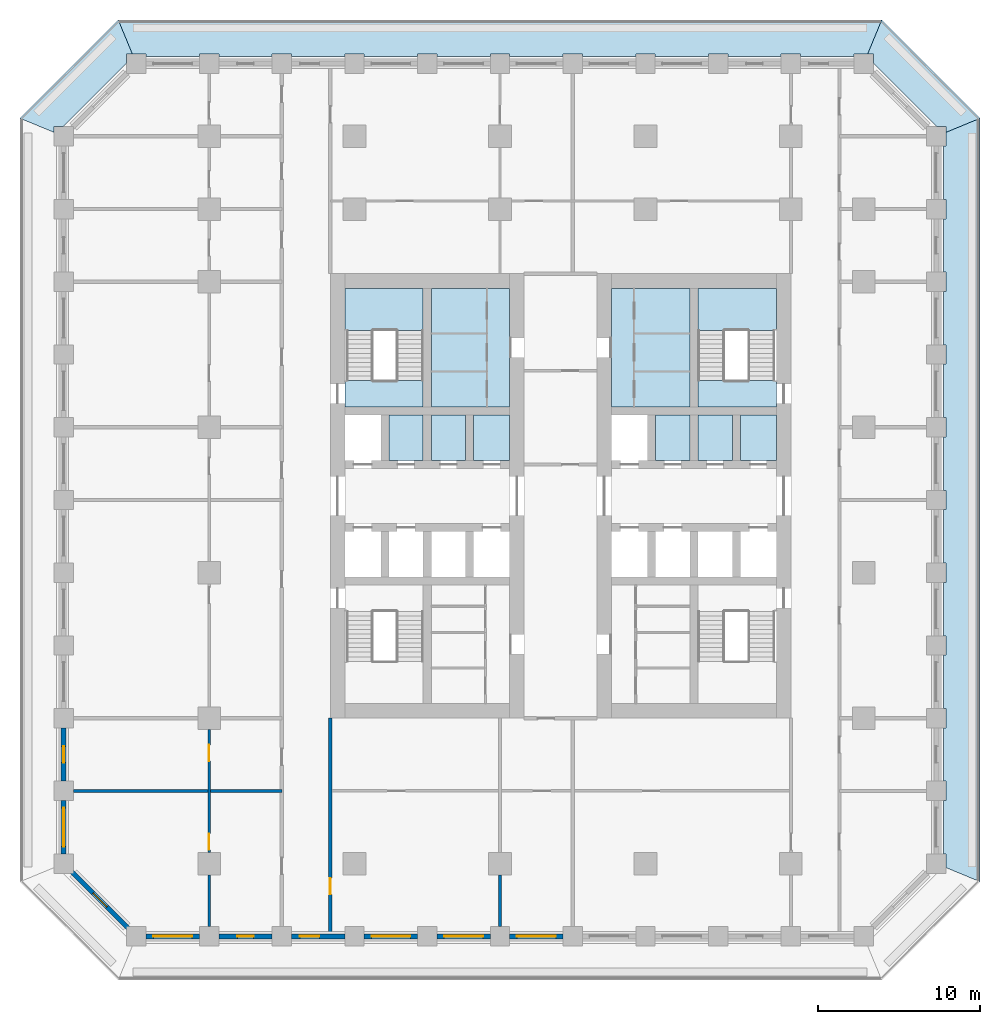
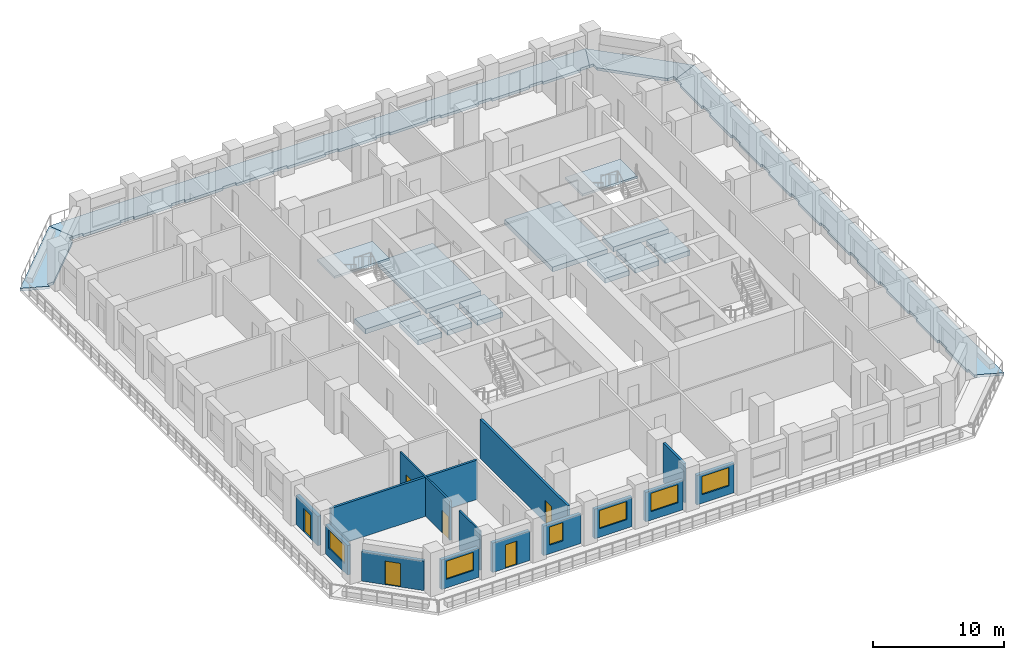
# One storey, part 2 of 17: 16 slabs, 14 walls, 6 doors, 6 windows, 12 openings, 2 elements without a shape of their own.
"""IFC4 building model written with IfcOpenShell, lengths in metres."""

from ifc_helpers import new_model, si_unit, direction, frame, frame_2d, origin, place, context, subcontext, project, spatial, polyline, rectangle, outline, extrude, material, layer, layer_set, type_object, element, fill, aggregate, save


model = new_model("IFC4")

# Units and contexts
model_context = context("Model", 3, precision=1e-05, world=origin(), true_north=direction((0.0, 1.0)))
body_context = subcontext(model_context, "Body", "Model", "MODEL_VIEW")
ifc_project = project(units=[si_unit("LENGTHUNIT", "METRE"), si_unit("AREAUNIT", "SQUARE_METRE"), si_unit("VOLUMEUNIT", "CUBIC_METRE"), si_unit("PLANEANGLEUNIT", "RADIAN"), si_unit("MASSUNIT", "GRAM", prefix="KILO")], contexts=[model_context])

# Site, building, storey
site_placement = place(None, origin())
site = spatial("IfcSite", under=ifc_project, at=site_placement, CompositionType="ELEMENT")
building_placement = place(site_placement, origin())
building = spatial("IfcBuilding", under=site, at=building_placement, Name="Corbel Stack Research Tower", CompositionType="ELEMENT")
storey_placement = place(building_placement, frame((0.0, 0.0, 129.0)))
storey = spatial("IfcBuildingStorey", under=building, at=storey_placement, Name="L29", CompositionType="ELEMENT", Elevation=129.0)

# Slabs
ifc_material_1 = material(Name="Concrete C45/55", Category="concrete")
ifc_layer_1 = layer(ifc_material_1, 0.25)
ifc_layer_set_1 = layer_set([ifc_layer_1], Name="Concrete C45/55")
slab_type_1 = type_object("IfcSlabType", Name="PT balcony slab 250 C45/55", PredefinedType="FLOOR", material=ifc_layer_set_1)
slab_1_placement = place(storey_placement, frame((0.0, 0.0, -0.25)))
element("IfcSlab", 1, at=slab_1_placement, inside=storey, type_object=slab_type_1, Name="Loggia slab L29 E", PredefinedType="FLOOR", context=body_context, shape_type="SweptSolid", body=[
    extrude(outline(polyline([(27.60009765625, 27.24853515625), (27.60009765625, 26.39990234375), (27.449951171875, 26.39990234375), (27.449951171875, 23.10009765625), (27.60009765625, 23.10009765625), (27.60009765625, 21.89990234375), (27.449951171875, 21.89990234375), (27.449951171875, 18.60009765625), (27.60009765625, 18.60009765625), (27.60009765625, 17.39990234375), (27.449951171875, 17.39990234375), (27.449951171875, 14.10009765625), (27.60009765625, 14.10009765625), (27.60009765625, 12.89990234375), (27.449951171875, 12.89990234375), (27.449951171875, 9.60009765625), (27.60009765625, 9.60009765625), (27.60009765625, 8.39990234375), (27.449951171875, 8.39990234375), (27.449951171875, 5.10009765625), (27.60009765625, 5.10009765625), (27.60009765625, 3.89990234375), (27.449951171875, 3.89990234375), (27.449951171875, 0.60009765625), (27.60009765625, 0.60009765625), (27.60009765625, -0.60009765625), (27.449951171875, -0.60009765625), (27.449951171875, -3.89990234375), (27.60009765625, -3.89990234375), (27.60009765625, -5.10009765625), (27.449951171875, -5.10009765625), (27.449951171875, -8.39990234375), (27.60009765625, -8.39990234375), (27.60009765625, -9.60009765625), (27.449951171875, -9.60009765625), (27.449951171875, -12.89990234375), (27.60009765625, -12.89990234375), (27.60009765625, -14.10009765625), (27.449951171875, -14.10009765625), (27.449951171875, -17.39990234375), (27.60009765625, -17.39990234375), (27.60009765625, -18.24853515625), (29.699951171875, -19.118408203125), (29.699951171875, 28.118408203125), (27.60009765625, 27.24853515625)])), origin(), (0.0, 0.0, 1.0), 0.25),
])
slab_2_placement = place(storey_placement, frame((0.0, 0.0, -0.25)))
element("IfcSlab", 2, at=slab_2_placement, inside=storey, type_object=slab_type_1, Name="Loggia slab L29 NE", PredefinedType="FLOOR", context=body_context, shape_type="SweptSolid", body=[
    extrude(outline(polyline([(22.74853515625, 32.10009765625), (23.10009765625, 32.10009765625), (23.10009765625, 31.536376953125), (27.036376953125, 27.60009765625), (27.60009765625, 27.60009765625), (27.60009765625, 27.24853515625), (29.699951171875, 28.118408203125), (23.618408203125, 34.199951171875), (22.74853515625, 32.10009765625)])), origin(), (0.0, 0.0, 1.0), 0.25),
])
slab_3_placement = place(storey_placement, frame((0.0, 0.0, -0.25)))
element("IfcSlab", 3, at=slab_3_placement, inside=storey, type_object=slab_type_1, Name="Loggia slab L29 N", PredefinedType="FLOOR", context=body_context, shape_type="SweptSolid", body=[
    extrude(outline(polyline([(-22.74853515625, 32.10009765625), (-21.89990234375, 32.10009765625), (-21.89990234375, 31.949951171875), (-18.60009765625, 31.949951171875), (-18.60009765625, 32.10009765625), (-17.39990234375, 32.10009765625), (-17.39990234375, 31.949951171875), (-14.10009765625, 31.949951171875), (-14.10009765625, 32.10009765625), (-12.89990234375, 32.10009765625), (-12.89990234375, 31.949951171875), (-9.60009765625, 31.949951171875), (-9.60009765625, 32.10009765625), (-8.39990234375, 32.10009765625), (-8.39990234375, 31.949951171875), (-5.10009765625, 31.949951171875), (-5.10009765625, 32.10009765625), (-3.89990234375, 32.10009765625), (-3.89990234375, 31.949951171875), (-0.60009765625, 31.949951171875), (-0.60009765625, 32.10009765625), (0.60009765625, 32.10009765625), (0.60009765625, 31.949951171875), (3.89990234375, 31.949951171875), (3.89990234375, 32.10009765625), (5.10009765625, 32.10009765625), (5.10009765625, 31.949951171875), (8.39990234375, 31.949951171875), (8.39990234375, 32.10009765625), (9.60009765625, 32.10009765625), (9.60009765625, 31.949951171875), (12.89990234375, 31.949951171875), (12.89990234375, 32.10009765625), (14.10009765625, 32.10009765625), (14.10009765625, 31.949951171875), (17.39990234375, 31.949951171875), (17.39990234375, 32.10009765625), (18.60009765625, 32.10009765625), (18.60009765625, 31.949951171875), (21.89990234375, 31.949951171875), (21.89990234375, 32.10009765625), (22.74853515625, 32.10009765625), (23.618408203125, 34.199951171875), (-23.618408203125, 34.199951171875), (-22.74853515625, 32.10009765625)])), origin(), (0.0, 0.0, 1.0), 0.25),
])
slab_4_placement = place(storey_placement, frame((0.0, 0.0, -0.25)))
element("IfcSlab", 4, at=slab_4_placement, inside=storey, type_object=slab_type_1, Name="Loggia slab L29 NW", PredefinedType="FLOOR", context=body_context, shape_type="SweptSolid", body=[
    extrude(outline(polyline([(-27.60009765625, 27.24853515625), (-27.60009765625, 27.60009765625), (-27.036376953125, 27.60009765625), (-23.10009765625, 31.536376953125), (-23.10009765625, 32.10009765625), (-22.74853515625, 32.10009765625), (-23.618408203125, 34.199951171875), (-29.699951171875, 28.118408203125), (-27.60009765625, 27.24853515625)])), origin(), (0.0, 0.0, 1.0), 0.25),
])
ifc_material_2 = material(Name="Concrete C45/55", Category="concrete")
ifc_layer_2 = layer(ifc_material_2, 0.449951171875)
ifc_layer_set_2 = layer_set([ifc_layer_2], Name="Concrete C45/55")
slab_type_2 = type_object("IfcSlabType", Name="PT-450", PredefinedType="FLOOR", material=ifc_layer_set_2)
slab_5_placement = place(storey_placement, frame((0.0, 0.0, -0.449951171875)))
element("IfcSlab", 5, at=slab_5_placement, inside=storey, type_object=slab_type_2, Name="West core floor L29", PredefinedType="FLOOR", context=body_context, shape_type="SweptSolid", body=[
    extrude(outline(polyline([(-6.875, 6.949951171875), (-4.75, 6.949951171875), (-4.75, 9.75), (-6.875, 9.75), (-6.875, 6.949951171875)])), origin(), (0.0, 0.0, 1.0), 0.449951171875),
])
slab_6_placement = place(storey_placement, frame((0.0, 0.0, -0.449951171875)))
element("IfcSlab", 6, at=slab_6_placement, inside=storey, type_object=slab_type_2, Name="West core floor L29", PredefinedType="FLOOR", context=body_context, shape_type="SweptSolid", body=[
    extrude(outline(polyline([(-2.125, 6.949951171875), (-2.125, 9.75), (-4.25, 9.75), (-4.25, 6.949951171875), (-2.125, 6.949951171875)])), origin(), (0.0, 0.0, 1.0), 0.449951171875),
])
slab_7_placement = place(storey_placement, frame((0.0, 0.0, -0.449951171875)))
element("IfcSlab", 7, at=slab_7_placement, inside=storey, type_object=slab_type_2, Name="West core floor L29", PredefinedType="FLOOR", context=body_context, shape_type="SweptSolid", body=[
    extrude(outline(polyline([(0.60009765625, 17.60009765625), (-4.25, 17.60009765625), (-4.25, 10.25), (0.60009765625, 10.25), (0.60009765625, 17.60009765625)])), origin(), (0.0, 0.0, 1.0), 0.449951171875),
])
slab_8_placement = place(storey_placement, frame((0.0, 0.0, -0.449951171875)))
element("IfcSlab", 8, at=slab_8_placement, inside=storey, type_object=slab_type_2, Name="West core floor L29", PredefinedType="FLOOR", context=body_context, shape_type="SweptSolid", body=[
    extrude(outline(polyline([(0.60009765625, 9.75), (-1.625, 9.75), (-1.625, 6.949951171875), (0.60009765625, 6.949951171875), (0.60009765625, 9.75)])), origin(), (0.0, 0.0, 1.0), 0.449951171875),
])
slab_9_placement = place(storey_placement, frame((0.0, 0.0, -0.449951171875)))
element("IfcSlab", 9, at=slab_9_placement, inside=storey, type_object=slab_type_2, Name="East core floor L29", PredefinedType="FLOOR", context=body_context, shape_type="SweptSolid", body=[
    extrude(outline(polyline([(6.89990234375, 17.60009765625), (6.89990234375, 10.25), (11.75, 10.25), (11.75, 17.60009765625), (6.89990234375, 17.60009765625)])), origin(), (0.0, 0.0, 1.0), 0.449951171875),
])
slab_10_placement = place(storey_placement, frame((0.0, 0.0, -0.449951171875)))
element("IfcSlab", 10, at=slab_10_placement, inside=storey, type_object=slab_type_2, Name="East core floor L29", PredefinedType="FLOOR", context=body_context, shape_type="SweptSolid", body=[
    extrude(outline(polyline([(9.625, 6.949951171875), (11.75, 6.949951171875), (11.75, 9.75), (9.625, 9.75), (9.625, 6.949951171875)])), origin(), (0.0, 0.0, 1.0), 0.449951171875),
])
slab_11_placement = place(storey_placement, frame((0.0, 0.0, -0.449951171875)))
element("IfcSlab", 11, at=slab_11_placement, inside=storey, type_object=slab_type_2, Name="East core floor L29", PredefinedType="FLOOR", context=body_context, shape_type="SweptSolid", body=[
    extrude(outline(polyline([(14.375, 6.949951171875), (14.375, 9.75), (12.25, 9.75), (12.25, 6.949951171875), (14.375, 6.949951171875)])), origin(), (0.0, 0.0, 1.0), 0.449951171875),
])
slab_12_placement = place(storey_placement, frame((0.0, 0.0, -0.449951171875)))
element("IfcSlab", 12, at=slab_12_placement, inside=storey, type_object=slab_type_2, Name="East core floor L29", PredefinedType="FLOOR", context=body_context, shape_type="SweptSolid", body=[
    extrude(outline(polyline([(17.10009765625, 6.949951171875), (17.10009765625, 9.75), (14.875, 9.75), (14.875, 6.949951171875), (17.10009765625, 6.949951171875)])), origin(), (0.0, 0.0, 1.0), 0.449951171875),
])
slab_13_placement = place(storey_placement, frame((0.0, 0.0, -0.449951171875)))
element("IfcSlab", 13, at=slab_13_placement, inside=storey, type_object=slab_type_2, Name="Stair floor landing ST-W2", PredefinedType="FLOOR", context=body_context, shape_type="SweptSolid", body=[
    extrude(outline(polyline([(-9.60009765625, 10.25), (-4.75, 10.25), (-4.75, 11.89990234375), (-9.60009765625, 11.89990234375), (-9.60009765625, 10.25)])), origin(), (0.0, 0.0, 1.0), 0.449951171875),
])
slab_14_placement = place(storey_placement, frame((0.0, 0.0, -0.449951171875)))
element("IfcSlab", 14, at=slab_14_placement, inside=storey, type_object=slab_type_2, Name="Stair floor landing ST-E2", PredefinedType="FLOOR", context=body_context, shape_type="SweptSolid", body=[
    extrude(outline(polyline([(12.25, 10.25), (17.10009765625, 10.25), (17.10009765625, 11.89990234375), (12.25, 11.89990234375), (12.25, 10.25)])), origin(), (0.0, 0.0, 1.0), 0.449951171875),
])

# Stair, slab
ifc_material_3 = material(Name="Concrete C40/50", Category="concrete")
stair_type = type_object("IfcStairType", Name="Exit stair 24 risers", PredefinedType="HALF_TURN_STAIR", material=ifc_material_3)
stair_1_placement = place(storey_placement, origin())
stair_1 = element("IfcStair", 15, at=stair_1_placement, inside=storey, type_object=stair_type, Name="L29 Exit stair ST-W2", PredefinedType="HALF_TURN_STAIR")
ifc_material_4 = material(Name="Concrete C40/50", Category="concrete")
ifc_layer_3 = layer(ifc_material_4, 0.199951171875)
ifc_layer_set_3 = layer_set([ifc_layer_3], Name="Concrete C40/50")
slab_type_3 = type_object("IfcSlabType", Name="Stair landing 200 C40/50", PredefinedType="LANDING", material=ifc_layer_set_3)
slab_15_placement = place(storey_placement, frame((0.0, 0.0, 1.85009765625)))
slab_15 = element("IfcSlab", 16, at=slab_15_placement, type_object=slab_type_3, Name="ST-W2 landing 1", PredefinedType="LANDING", context=body_context, shape_type="SweptSolid", body=[
    extrude(outline(polyline([(-9.60009765625, 14.97998046875), (-9.60009765625, 17.60009765625), (-4.75, 17.60009765625), (-4.75, 14.97998046875), (-9.60009765625, 14.97998046875)])), origin(), (0.0, 0.0, 1.0), 0.199951171875),
])
aggregate(stair_1, [slab_15])

stair_2_placement = place(storey_placement, origin())
stair_2 = element("IfcStair", 17, at=stair_2_placement, inside=storey, type_object=stair_type, Name="L29 Exit stair ST-E2", PredefinedType="HALF_TURN_STAIR")
slab_16_placement = place(storey_placement, frame((0.0, 0.0, 1.85009765625)))
slab_16 = element("IfcSlab", 18, at=slab_16_placement, type_object=slab_type_3, Name="ST-E2 landing 1", PredefinedType="LANDING", context=body_context, shape_type="SweptSolid", body=[
    extrude(outline(polyline([(12.25, 14.97998046875), (12.25, 17.60009765625), (17.10009765625, 17.60009765625), (17.10009765625, 14.97998046875), (12.25, 14.97998046875)])), origin(), (0.0, 0.0, 1.0), 0.199951171875),
])
aggregate(stair_2, [slab_16])

# Wall, opening, door
ifc_material_5 = material(Name="Fire-rated gypsum board partition on steel studs", Category="steel")
ifc_layer_4 = layer(ifc_material_5, 0.199951171875)
ifc_layer_set_4 = layer_set([ifc_layer_4], Name="Fire-rated gypsum board partition on steel studs")
wall_type_1 = type_object("IfcWallType", Name="Fire-rated partition 200 EI 60", PredefinedType="PARTITIONING", material=ifc_layer_set_4)
wall_1_placement = place(storey_placement, frame((-10.5, -9.0, 0.0), z_axis=(0.0, 0.0, 1.0), x_axis=(0.0, -1.0, 0.0)))
wall_1 = element("IfcWall", 19, at=wall_1_placement, inside=storey, type_object=wall_type_1, Name="Partition L29-010", PredefinedType="PARTITIONING", context=body_context, shape_type="SweptSolid", body=[
    extrude(rectangle(XDim=13.35009765625, YDim=0.199951171875, at=frame_2d((6.675048828125, 0.0))), origin(), (0.0, 0.0, 1.0), 3.64990234375),
])
opening_1_placement = place(wall_1_placement, frame((9.89990234375, 0.0, 0.0)))
opening_1 = element("IfcOpeningElement", 20, at=opening_1_placement, cuts=wall_1, Name="Opening B4V1-020", PredefinedType="OPENING", context=body_context, shape_type="SweptSolid", body=[
    extrude(rectangle(XDim=1.0, YDim=2.10009765625, at=frame_2d((0.5, 1.050048828125))), frame((0.0, 0.10986328125, 0.0), z_axis=(0.0, -1.0, 0.0), x_axis=(1.0, 0.0, 0.0)), (0.0, 0.0, 1.0), 0.219970703125),
])
ifc_material_6 = material(Name="Painted steel fire door", Category="steel")
door_type_1 = type_object("IfcDoorType", Name="Fire door FD30S 1000 x 2100", OperationType="NOTDEFINED", PredefinedType="DOOR", material=ifc_material_6)
door_1_placement = place(opening_1_placement, origin())
door_1 = element("IfcDoor", 21, at=door_1_placement, inside=storey, type_object=door_type_1, Name="Door B4V1-020", OperationType="SINGLE_SWING_RIGHT", OverallHeight=2.10009765625, OverallWidth=1.0, PredefinedType="DOOR", context=body_context, shape_type="SweptSolid", body=[
    extrude(rectangle(XDim=1.0, YDim=2.10009765625, at=frame_2d((0.5, 1.050048828125))), frame((0.0, 0.02490234375, 0.0), z_axis=(0.0, -1.0, 0.0), x_axis=(1.0, 0.0, 0.0)), (0.0, 0.0, 1.0), 0.050048828125),
])
fill(opening_1, door_1)

# Walls
wall_2_placement = place(storey_placement, frame((0.0, -21.89990234375, 0.0), z_axis=(0.0, 0.0, 1.0), x_axis=(0.0, 1.0, 0.0)))
element("IfcWall", 22, at=wall_2_placement, inside=storey, type_object=wall_type_1, Name="Partition L29-015", PredefinedType="PARTITIONING", context=body_context, shape_type="SweptSolid", body=[
    extrude(rectangle(XDim=3.199951171875, YDim=0.199951171875, at=frame_2d((1.60009765625, 0.0))), origin(), (0.0, 0.0, 1.0), 3.64990234375),
])
wall_3_placement = place(storey_placement, frame((-26.39990234375, -13.5, 0.0), z_axis=(0.0, 0.0, 1.0), x_axis=(1.0, 0.0, 0.0)))
element("IfcWall", 23, at=wall_3_placement, inside=storey, type_object=wall_type_1, Name="Partition L29-026", PredefinedType="PARTITIONING", context=body_context, shape_type="SweptSolid", body=[
    extrude(rectangle(XDim=12.89990234375, YDim=0.199951171875, at=frame_2d((6.449951171875, 0.0))), origin(), (0.0, 0.0, 1.0), 3.64990234375),
])
ifc_material_7 = material(Name="Gypsum board partition on steel studs", Category="steel")
ifc_layer_5 = layer(ifc_material_7, 0.14990234375)
ifc_layer_set_5 = layer_set([ifc_layer_5], Name="Gypsum board partition on steel studs")
wall_type_2 = type_object("IfcWallType", Name="Partition 150", PredefinedType="PARTITIONING", material=ifc_layer_set_5)
wall_4_placement = place(storey_placement, frame((-18.0, -21.89990234375, 0.0), z_axis=(0.0, 0.0, 1.0), x_axis=(0.0, 1.0, 0.0)))
element("IfcWall", 24, at=wall_4_placement, inside=storey, type_object=wall_type_2, Name="Partition L29-001", PredefinedType="PARTITIONING", context=body_context, shape_type="SweptSolid", body=[
    extrude(rectangle(XDim=3.199951171875, YDim=0.14990234375, at=frame_2d((1.60009765625, 0.0))), origin(), (0.0, 0.0, 1.0), 3.64990234375),
])

# Wall, openings, doors
wall_5_placement = place(storey_placement, frame((-18.0, -17.300048828125, 0.0), z_axis=(0.0, 0.0, 1.0), x_axis=(0.0, 1.0, 0.0)))
wall_5 = element("IfcWall", 25, at=wall_5_placement, inside=storey, type_object=wall_type_2, Name="Partition L29-002", PredefinedType="PARTITIONING", context=body_context, shape_type="SweptSolid", body=[
    extrude(rectangle(XDim=7.60009765625, YDim=0.14990234375, at=frame_2d((3.800048828125, 0.0))), origin(), (0.0, 0.0, 1.0), 3.64990234375),
])
opening_2_placement = place(wall_5_placement, frame((0.14990234375, 0.0, 0.0)))
opening_2 = element("IfcOpeningElement", 26, at=opening_2_placement, cuts=wall_5, Name="Opening B4V1-001", PredefinedType="OPENING", context=body_context, shape_type="SweptSolid", body=[
    extrude(rectangle(XDim=1.0, YDim=2.10009765625, at=frame_2d((0.5, 1.050048828125))), frame((0.0, 0.0849609375, 0.0), z_axis=(0.0, -1.0, 0.0), x_axis=(1.0, 0.0, 0.0)), (0.0, 0.0, 1.0), 0.169921875),
])
opening_3_placement = place(wall_5_placement, frame((5.64990234375, 0.0, 0.0)))
opening_3 = element("IfcOpeningElement", 27, at=opening_3_placement, cuts=wall_5, Name="Opening B4V1-002", PredefinedType="OPENING", context=body_context, shape_type="SweptSolid", body=[
    extrude(rectangle(XDim=1.0, YDim=2.10009765625, at=frame_2d((0.5, 1.050048828125))), frame((0.0, 0.0849609375, 0.0), z_axis=(0.0, -1.0, 0.0), x_axis=(1.0, 0.0, 0.0)), (0.0, 0.0, 1.0), 0.169921875),
])
ifc_material_8 = material(Name="Painted timber door", Category="wood")
door_type_2 = type_object("IfcDoorType", Name="Single door 1000 x 2100", OperationType="NOTDEFINED", PredefinedType="DOOR", material=ifc_material_8)
door_2_placement = place(opening_2_placement, origin())
door_2 = element("IfcDoor", 28, at=door_2_placement, inside=storey, type_object=door_type_2, Name="Door B4V1-001", OperationType="SINGLE_SWING_LEFT", OverallHeight=2.10009765625, OverallWidth=1.0, PredefinedType="DOOR", context=body_context, shape_type="SweptSolid", body=[
    extrude(rectangle(XDim=1.0, YDim=2.10009765625, at=frame_2d((0.5, 1.050048828125))), frame((0.0, 0.02490234375, 0.0), z_axis=(0.0, -1.0, 0.0), x_axis=(1.0, 0.0, 0.0)), (0.0, 0.0, 1.0), 0.050048828125),
])
fill(opening_2, door_2)
door_3_placement = place(opening_3_placement, origin())
door_3 = element("IfcDoor", 29, at=door_3_placement, inside=storey, type_object=door_type_2, Name="Door B4V1-002", OperationType="SINGLE_SWING_RIGHT", OverallHeight=2.10009765625, OverallWidth=1.0, PredefinedType="DOOR", context=body_context, shape_type="SweptSolid", body=[
    extrude(rectangle(XDim=1.0, YDim=2.10009765625, at=frame_2d((0.5, 1.050048828125))), frame((0.0, 0.02490234375, 0.0), z_axis=(0.0, -1.0, 0.0), x_axis=(1.0, 0.0, 0.0)), (0.0, 0.0, 1.0), 0.050048828125),
])
fill(opening_3, door_3)

# Wall, opening, window
ifc_material_9 = material(Name="Concrete C45/55", Category="concrete")
ifc_layer_6 = layer(ifc_material_9, 0.300048828125)
ifc_layer_set_6 = layer_set([ifc_layer_6], Name="Concrete C45/55")
wall_type_3 = type_object("IfcWallType", Name="Terracotta-faced concrete wall 300", PredefinedType="SOLIDWALL", material=ifc_layer_set_6)
wall_6_placement = place(storey_placement, frame((-18.60009765625, -22.5, 0.0), z_axis=(0.0, 0.0, 1.0), x_axis=(-1.0, 0.0, 0.0)))
wall_6 = element("IfcWall", 30, at=wall_6_placement, inside=storey, type_object=wall_type_3, Name="Facade wall L29 S01", PredefinedType="SOLIDWALL", context=body_context, shape_type="SweptSolid", body=[
    extrude(rectangle(XDim=3.2998046875, YDim=0.300048828125, at=frame_2d((1.64990234375, 0.0))), origin(), (0.0, 0.0, 1.0), 2.75),
])
opening_4_placement = place(wall_6_placement, frame((0.449951171875, 0.0, 0.800048828125)))
opening_4 = element("IfcOpeningElement", 31, at=opening_4_placement, cuts=wall_6, Name="Opening W1", PredefinedType="OPENING", context=body_context, shape_type="SweptSolid", body=[
    extrude(rectangle(XDim=2.39990234375, YDim=1.699951171875, at=frame_2d((1.199951171875, 0.85009765625))), frame((0.0, 0.159912109375, 0.0), z_axis=(0.0, -1.0, 0.0), x_axis=(1.0, 0.0, 0.0)), (0.0, 0.0, 1.0), 0.320068359375),
])
ifc_material_10 = material(Name="Aluminium frame, clear double glazing", Category="aluminium")
window_type_1 = type_object("IfcWindowType", Name="Window W1 2400 x 1700", PartitioningType="SINGLE_PANEL", PredefinedType="WINDOW", material=ifc_material_10)
window_1_placement = place(opening_4_placement, origin())
window_1 = element("IfcWindow", 32, at=window_1_placement, inside=storey, type_object=window_type_1, Name="Window W1 L29 S01", OverallHeight=1.699951171875, OverallWidth=2.39990234375, PartitioningType="SINGLE_PANEL", PredefinedType="WINDOW", context=body_context, shape_type="SweptSolid", body=[
    extrude(rectangle(XDim=2.39990234375, YDim=1.699951171875, at=frame_2d((1.199951171875, 0.85009765625))), frame((0.0, 0.030029296875, 0.0), z_axis=(0.0, -1.0, 0.0), x_axis=(1.0, 0.0, 0.0)), (0.0, 0.0, 1.0), 0.06005859375),
])
fill(opening_4, window_1)

# Wall, opening, door
wall_7_placement = place(storey_placement, frame((-14.10009765625, -22.5, 0.0), z_axis=(0.0, 0.0, 1.0), x_axis=(-1.0, 0.0, 0.0)))
wall_7 = element("IfcWall", 33, at=wall_7_placement, inside=storey, type_object=wall_type_3, Name="Facade wall L29 S02", PredefinedType="SOLIDWALL", context=body_context, shape_type="SweptSolid", body=[
    extrude(rectangle(XDim=3.2998046875, YDim=0.300048828125, at=frame_2d((1.64990234375, 0.0))), origin(), (0.0, 0.0, 1.0), 2.75),
])
opening_5_placement = place(wall_7_placement, frame((1.14990234375, 0.0, 0.0)))
opening_5 = element("IfcOpeningElement", 34, at=opening_5_placement, cuts=wall_7, Name="Opening L29-B01", PredefinedType="OPENING", context=body_context, shape_type="SweptSolid", body=[
    extrude(rectangle(XDim=1.0, YDim=2.199951171875, at=frame_2d((0.5, 1.10009765625))), frame((0.0, 0.159912109375, 0.0), z_axis=(0.0, -1.0, 0.0), x_axis=(1.0, 0.0, 0.0)), (0.0, 0.0, 1.0), 0.320068359375),
])
ifc_material_11 = material(Name="Aluminium frame, clear double glazing", Category="aluminium")
door_type_3 = type_object("IfcDoorType", Name="Balcony door BD1 1000 x 2200", OperationType="NOTDEFINED", PredefinedType="DOOR", material=ifc_material_11)
door_4_placement = place(opening_5_placement, origin())
door_4 = element("IfcDoor", 35, at=door_4_placement, inside=storey, type_object=door_type_3, Name="Balcony door L29-B01", OperationType="SINGLE_SWING_LEFT", OverallHeight=2.199951171875, OverallWidth=1.0, PredefinedType="DOOR", context=body_context, shape_type="SweptSolid", body=[
    extrude(rectangle(XDim=1.0, YDim=2.199951171875, at=frame_2d((0.5, 1.10009765625))), frame((0.0, 0.02490234375, 0.0), z_axis=(0.0, -1.0, 0.0), x_axis=(1.0, 0.0, 0.0)), (0.0, 0.0, 1.0), 0.050048828125),
])
fill(opening_5, door_4)

# Wall, opening, window
wall_8_placement = place(storey_placement, frame((-9.60009765625, -22.5, 0.0), z_axis=(0.0, 0.0, 1.0), x_axis=(-1.0, 0.0, 0.0)))
wall_8 = element("IfcWall", 36, at=wall_8_placement, inside=storey, type_object=wall_type_3, Name="Facade wall L29 S03", PredefinedType="SOLIDWALL", context=body_context, shape_type="SweptSolid", body=[
    extrude(rectangle(XDim=3.2998046875, YDim=0.300048828125, at=frame_2d((1.64990234375, 0.0))), origin(), (0.0, 0.0, 1.0), 2.75),
])
opening_6_placement = place(wall_8_placement, frame((1.574951171875, 0.0, 0.800048828125)))
opening_6 = element("IfcOpeningElement", 37, at=opening_6_placement, cuts=wall_8, Name="Opening W2", PredefinedType="OPENING", context=body_context, shape_type="SweptSolid", body=[
    extrude(rectangle(XDim=1.199951171875, YDim=1.699951171875, at=frame_2d((0.60009765625, 0.85009765625))), frame((0.0, 0.159912109375, 0.0), z_axis=(0.0, -1.0, 0.0), x_axis=(1.0, 0.0, 0.0)), (0.0, 0.0, 1.0), 0.320068359375),
])
ifc_material_12 = material(Name="Aluminium frame, clear double glazing", Category="aluminium")
window_type_2 = type_object("IfcWindowType", Name="Window W2 1200 x 1700", PartitioningType="SINGLE_PANEL", PredefinedType="WINDOW", material=ifc_material_12)
window_2_placement = place(opening_6_placement, origin())
window_2 = element("IfcWindow", 38, at=window_2_placement, inside=storey, type_object=window_type_2, Name="Window W2 L29 S03", OverallHeight=1.699951171875, OverallWidth=1.199951171875, PartitioningType="SINGLE_PANEL", PredefinedType="WINDOW", context=body_context, shape_type="SweptSolid", body=[
    extrude(rectangle(XDim=1.199951171875, YDim=1.699951171875, at=frame_2d((0.60009765625, 0.85009765625))), frame((0.0, 0.030029296875, 0.0), z_axis=(0.0, -1.0, 0.0), x_axis=(1.0, 0.0, 0.0)), (0.0, 0.0, 1.0), 0.06005859375),
])
fill(opening_6, window_2)

wall_9_placement = place(storey_placement, frame((-5.10009765625, -22.5, 0.0), z_axis=(0.0, 0.0, 1.0), x_axis=(-1.0, 0.0, 0.0)))
wall_9 = element("IfcWall", 39, at=wall_9_placement, inside=storey, type_object=wall_type_3, Name="Facade wall L29 S04", PredefinedType="SOLIDWALL", context=body_context, shape_type="SweptSolid", body=[
    extrude(rectangle(XDim=3.2998046875, YDim=0.300048828125, at=frame_2d((1.64990234375, 0.0))), origin(), (0.0, 0.0, 1.0), 2.75),
])
opening_7_placement = place(wall_9_placement, frame((0.449951171875, 0.0, 0.800048828125)))
opening_7 = element("IfcOpeningElement", 40, at=opening_7_placement, cuts=wall_9, Name="Opening W1", PredefinedType="OPENING", context=body_context, shape_type="SweptSolid", body=[
    extrude(rectangle(XDim=2.39990234375, YDim=1.699951171875, at=frame_2d((1.199951171875, 0.85009765625))), frame((0.0, 0.159912109375, 0.0), z_axis=(0.0, -1.0, 0.0), x_axis=(1.0, 0.0, 0.0)), (0.0, 0.0, 1.0), 0.320068359375),
])
window_3_placement = place(opening_7_placement, origin())
window_3 = element("IfcWindow", 41, at=window_3_placement, inside=storey, type_object=window_type_1, Name="Window W1 L29 S04", OverallHeight=1.699951171875, OverallWidth=2.39990234375, PartitioningType="SINGLE_PANEL", PredefinedType="WINDOW", context=body_context, shape_type="SweptSolid", body=[
    extrude(rectangle(XDim=2.39990234375, YDim=1.699951171875, at=frame_2d((1.199951171875, 0.85009765625))), frame((0.0, 0.030029296875, 0.0), z_axis=(0.0, -1.0, 0.0), x_axis=(1.0, 0.0, 0.0)), (0.0, 0.0, 1.0), 0.06005859375),
])
fill(opening_7, window_3)

wall_10_placement = place(storey_placement, frame((-0.60009765625, -22.5, 0.0), z_axis=(0.0, 0.0, 1.0), x_axis=(-1.0, 0.0, 0.0)))
wall_10 = element("IfcWall", 42, at=wall_10_placement, inside=storey, type_object=wall_type_3, Name="Facade wall L29 S05", PredefinedType="SOLIDWALL", context=body_context, shape_type="SweptSolid", body=[
    extrude(rectangle(XDim=3.2998046875, YDim=0.300048828125, at=frame_2d((1.64990234375, 0.0))), origin(), (0.0, 0.0, 1.0), 2.75),
])
opening_8_placement = place(wall_10_placement, frame((0.449951171875, 0.0, 0.800048828125)))
opening_8 = element("IfcOpeningElement", 43, at=opening_8_placement, cuts=wall_10, Name="Opening W1", PredefinedType="OPENING", context=body_context, shape_type="SweptSolid", body=[
    extrude(rectangle(XDim=2.39990234375, YDim=1.699951171875, at=frame_2d((1.199951171875, 0.85009765625))), frame((0.0, 0.159912109375, 0.0), z_axis=(0.0, -1.0, 0.0), x_axis=(1.0, 0.0, 0.0)), (0.0, 0.0, 1.0), 0.320068359375),
])
window_4_placement = place(opening_8_placement, origin())
window_4 = element("IfcWindow", 44, at=window_4_placement, inside=storey, type_object=window_type_1, Name="Window W1 L29 S05", OverallHeight=1.699951171875, OverallWidth=2.39990234375, PartitioningType="SINGLE_PANEL", PredefinedType="WINDOW", context=body_context, shape_type="SweptSolid", body=[
    extrude(rectangle(XDim=2.39990234375, YDim=1.699951171875, at=frame_2d((1.199951171875, 0.85009765625))), frame((0.0, 0.030029296875, 0.0), z_axis=(0.0, -1.0, 0.0), x_axis=(1.0, 0.0, 0.0)), (0.0, 0.0, 1.0), 0.06005859375),
])
fill(opening_8, window_4)

wall_11_placement = place(storey_placement, frame((3.89990234375, -22.5, 0.0), z_axis=(0.0, 0.0, 1.0), x_axis=(-1.0, 0.0, 0.0)))
wall_11 = element("IfcWall", 45, at=wall_11_placement, inside=storey, type_object=wall_type_3, Name="Facade wall L29 S06", PredefinedType="SOLIDWALL", context=body_context, shape_type="SweptSolid", body=[
    extrude(rectangle(XDim=3.2998046875, YDim=0.300048828125, at=frame_2d((1.64990234375, 0.0))), origin(), (0.0, 0.0, 1.0), 2.75),
])
opening_9_placement = place(wall_11_placement, frame((0.449951171875, 0.0, 0.800048828125)))
opening_9 = element("IfcOpeningElement", 46, at=opening_9_placement, cuts=wall_11, Name="Opening W1", PredefinedType="OPENING", context=body_context, shape_type="SweptSolid", body=[
    extrude(rectangle(XDim=2.39990234375, YDim=1.699951171875, at=frame_2d((1.199951171875, 0.85009765625))), frame((0.0, 0.159912109375, 0.0), z_axis=(0.0, -1.0, 0.0), x_axis=(1.0, 0.0, 0.0)), (0.0, 0.0, 1.0), 0.320068359375),
])
window_5_placement = place(opening_9_placement, origin())
window_5 = element("IfcWindow", 47, at=window_5_placement, inside=storey, type_object=window_type_1, Name="Window W1 L29 S06", OverallHeight=1.699951171875, OverallWidth=2.39990234375, PartitioningType="SINGLE_PANEL", PredefinedType="WINDOW", context=body_context, shape_type="SweptSolid", body=[
    extrude(rectangle(XDim=2.39990234375, YDim=1.699951171875, at=frame_2d((1.199951171875, 0.85009765625))), frame((0.0, 0.030029296875, 0.0), z_axis=(0.0, -1.0, 0.0), x_axis=(1.0, 0.0, 0.0)), (0.0, 0.0, 1.0), 0.06005859375),
])
fill(opening_9, window_5)

# Wall, opening, door
wall_12_placement = place(storey_placement, frame((-27.0, -12.89990234375, 0.0), z_axis=(0.0, 0.0, 1.0), x_axis=(0.0, 1.0, 0.0)))
wall_12 = element("IfcWall", 48, at=wall_12_placement, inside=storey, type_object=wall_type_3, Name="Facade wall L29 W09", PredefinedType="SOLIDWALL", context=body_context, shape_type="SweptSolid", body=[
    extrude(rectangle(XDim=3.2998046875, YDim=0.300048828125, at=frame_2d((1.64990234375, 0.0))), origin(), (0.0, 0.0, 1.0), 2.75),
])
opening_10_placement = place(wall_12_placement, frame((1.14990234375, 0.0, 0.0)))
opening_10 = element("IfcOpeningElement", 49, at=opening_10_placement, cuts=wall_12, Name="Opening L29-B11", PredefinedType="OPENING", context=body_context, shape_type="SweptSolid", body=[
    extrude(rectangle(XDim=1.0, YDim=2.199951171875, at=frame_2d((0.5, 1.10009765625))), frame((0.0, 0.159912109375, 0.0), z_axis=(0.0, -1.0, 0.0), x_axis=(1.0, 0.0, 0.0)), (0.0, 0.0, 1.0), 0.320068359375),
])
door_5_placement = place(opening_10_placement, origin())
door_5 = element("IfcDoor", 50, at=door_5_placement, inside=storey, type_object=door_type_3, Name="Balcony door L29-B11", OperationType="SINGLE_SWING_RIGHT", OverallHeight=2.199951171875, OverallWidth=1.0, PredefinedType="DOOR", context=body_context, shape_type="SweptSolid", body=[
    extrude(rectangle(XDim=1.0, YDim=2.199951171875, at=frame_2d((0.5, 1.10009765625))), frame((0.0, 0.02490234375, 0.0), z_axis=(0.0, -1.0, 0.0), x_axis=(1.0, 0.0, 0.0)), (0.0, 0.0, 1.0), 0.050048828125),
])
fill(opening_10, door_5)

# Wall, opening, window
wall_13_placement = place(storey_placement, frame((-27.0, -17.39990234375, 0.0), z_axis=(0.0, 0.0, 1.0), x_axis=(0.0, 1.0, 0.0)))
wall_13 = element("IfcWall", 51, at=wall_13_placement, inside=storey, type_object=wall_type_3, Name="Facade wall L29 W10", PredefinedType="SOLIDWALL", context=body_context, shape_type="SweptSolid", body=[
    extrude(rectangle(XDim=3.2998046875, YDim=0.300048828125, at=frame_2d((1.64990234375, 0.0))), origin(), (0.0, 0.0, 1.0), 2.75),
])
opening_11_placement = place(wall_13_placement, frame((0.449951171875, 0.0, 0.800048828125)))
opening_11 = element("IfcOpeningElement", 52, at=opening_11_placement, cuts=wall_13, Name="Opening W1", PredefinedType="OPENING", context=body_context, shape_type="SweptSolid", body=[
    extrude(rectangle(XDim=2.39990234375, YDim=1.699951171875, at=frame_2d((1.199951171875, 0.85009765625))), frame((0.0, 0.159912109375, 0.0), z_axis=(0.0, -1.0, 0.0), x_axis=(1.0, 0.0, 0.0)), (0.0, 0.0, 1.0), 0.320068359375),
])
window_6_placement = place(opening_11_placement, origin())
window_6 = element("IfcWindow", 53, at=window_6_placement, inside=storey, type_object=window_type_1, Name="Window W1 L29 W10", OverallHeight=1.699951171875, OverallWidth=2.39990234375, PartitioningType="SINGLE_PANEL", PredefinedType="WINDOW", context=body_context, shape_type="SweptSolid", body=[
    extrude(rectangle(XDim=2.39990234375, YDim=1.699951171875, at=frame_2d((1.199951171875, 0.85009765625))), frame((0.0, 0.030029296875, 0.0), z_axis=(0.0, -1.0, 0.0), x_axis=(1.0, 0.0, 0.0)), (0.0, 0.0, 1.0), 0.06005859375),
])
fill(opening_11, window_6)

# Wall, opening, door
wall_14_placement = place(storey_placement, frame((-22.993896484375, -22.006103515625, 0.0), z_axis=(0.0, 0.0, 1.0), x_axis=(-0.707106781187, 0.707106781187, 0.0)))
wall_14 = element("IfcWall", 54, at=wall_14_placement, inside=storey, type_object=wall_type_3, Name="Facade wall L29 SW01", PredefinedType="SOLIDWALL", context=body_context, shape_type="SweptSolid", body=[
    extrude(rectangle(XDim=4.967041015625, YDim=0.300048828125, at=frame_2d((2.4833984375, 0.0))), origin(), (0.0, 0.0, 1.0), 2.75),
])
opening_12_placement = place(wall_14_placement, frame((1.883544921875, 0.0, 0.0)))
opening_12 = element("IfcOpeningElement", 55, at=opening_12_placement, cuts=wall_14, Name="Opening L29-B12", PredefinedType="OPENING", context=body_context, shape_type="SweptSolid", body=[
    extrude(rectangle(XDim=1.199951171875, YDim=2.199951171875, at=frame_2d((0.60009765625, 1.10009765625))), frame((0.0, 0.159912109375, 0.0), z_axis=(0.0, -1.0, 0.0), x_axis=(1.0, 0.0, 0.0)), (0.0, 0.0, 1.0), 0.320068359375),
])
ifc_material_13 = material(Name="Aluminium frame, clear double glazing", Category="aluminium")
door_type_4 = type_object("IfcDoorType", Name="Balcony door BD2 1200 x 2200", OperationType="NOTDEFINED", PredefinedType="DOOR", material=ifc_material_13)
door_6_placement = place(opening_12_placement, origin())
door_6 = element("IfcDoor", 56, at=door_6_placement, inside=storey, type_object=door_type_4, Name="Balcony door L29-B12", OperationType="SINGLE_SWING_RIGHT", OverallHeight=2.199951171875, OverallWidth=1.199951171875, PredefinedType="DOOR", context=body_context, shape_type="SweptSolid", body=[
    extrude(rectangle(XDim=1.199951171875, YDim=2.199951171875, at=frame_2d((0.60009765625, 1.10009765625))), frame((0.0, 0.02490234375, 0.0), z_axis=(0.0, -1.0, 0.0), x_axis=(1.0, 0.0, 0.0)), (0.0, 0.0, 1.0), 0.050048828125),
])
fill(opening_12, door_6)

save(model, "model.ifc")
